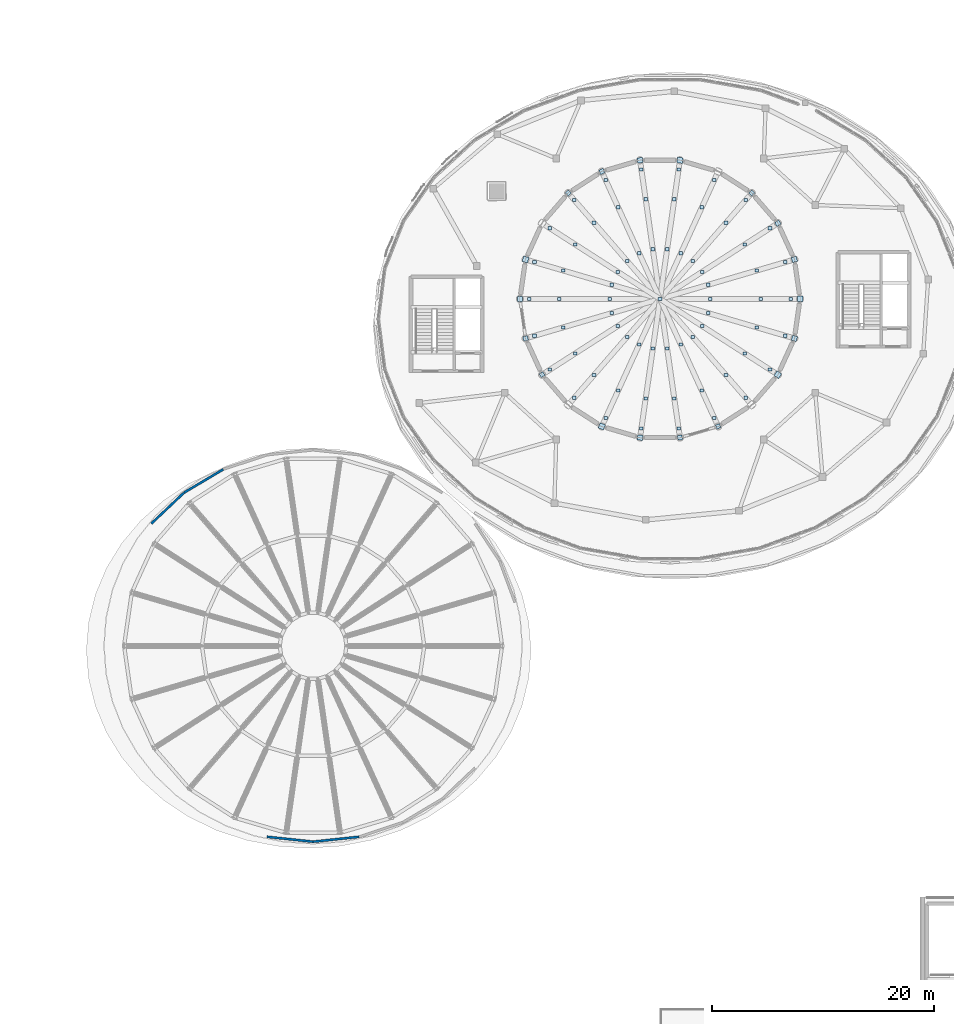
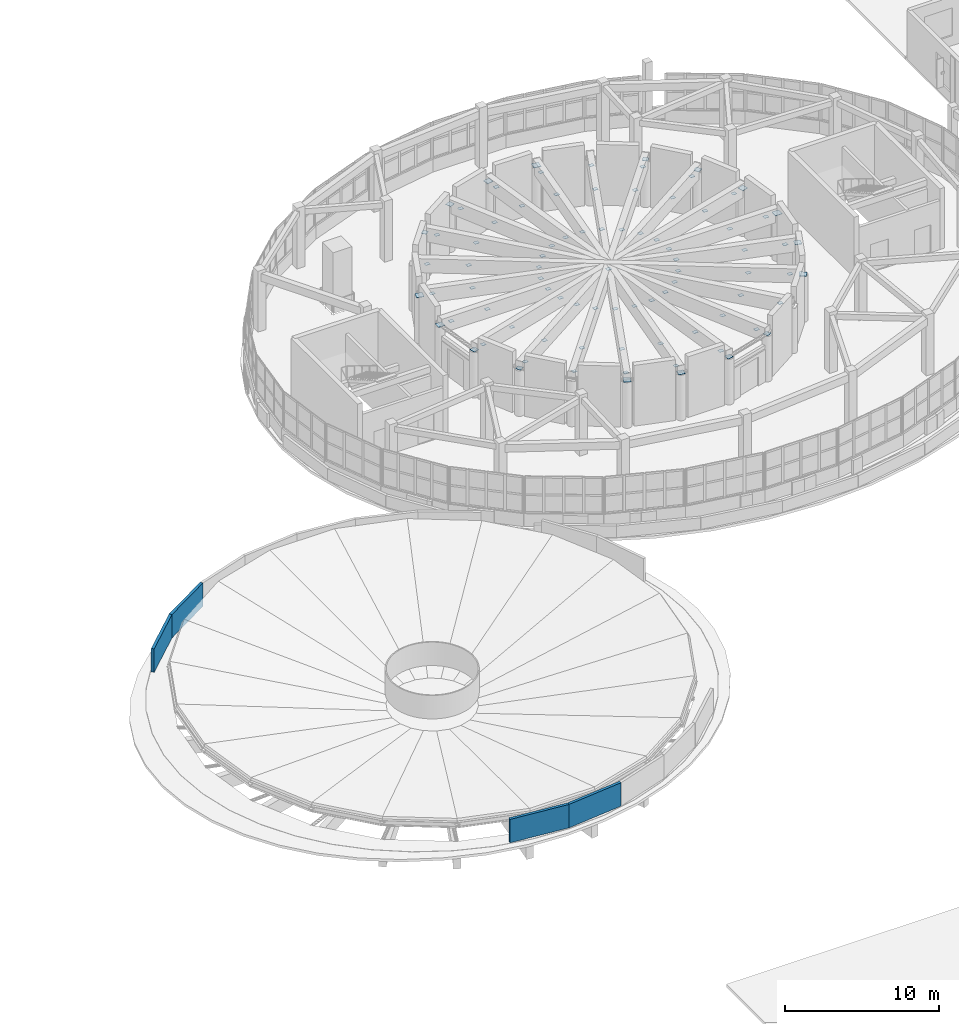
# One storey, part 55 of 69: 85 plates, 4 walls.
"""IFC4 building model written with IfcOpenShell, lengths in metres."""

from ifc_helpers import new_model, si_unit, direction, frame, frame_2d, origin, origin_2d, place, context, subcontext, project, spatial, rectangle, extrude, material, layer, layer_set, type_object, element, save


model = new_model("IFC4")

# Units and contexts
model_context = context("Model", 3, precision=1e-05, world=origin(), true_north=direction((0.0, 1.0)))
body_context = subcontext(model_context, "Body", "Model", "MODEL_VIEW")
ifc_project = project(units=[si_unit("LENGTHUNIT", "METRE"), si_unit("AREAUNIT", "SQUARE_METRE"), si_unit("VOLUMEUNIT", "CUBIC_METRE"), si_unit("PLANEANGLEUNIT", "RADIAN"), si_unit("MASSUNIT", "GRAM", prefix="KILO")], contexts=[model_context])

# Site, building, storey
site_placement = place(None, origin())
site = spatial("IfcSite", under=ifc_project, at=site_placement, CompositionType="ELEMENT")
building_placement = place(site_placement, origin())
building = spatial("IfcBuilding", under=site, at=building_placement, Name="Pelvatis Terrace Science Centre", CompositionType="ELEMENT")
storey_placement = place(building_placement, frame((0.0, 0.0, 15.0)))
storey = spatial("IfcBuildingStorey", under=building, at=storey_placement, Name="L03", CompositionType="ELEMENT", Elevation=15.0)

# Plates
ifc_material_1 = material(Name="Structural steel S355", Category="steel")
ifc_layer_1 = layer(ifc_material_1, 0.02001953125)
ifc_layer_set_1 = layer_set([ifc_layer_1], Name="Structural steel S355")
plate_type_1 = type_object("IfcPlateType", Name="PLT-CAP-380x380x20", PredefinedType="USERDEFINED", material=ifc_layer_set_1)
for number, where, z_axis, x_axis, name in (
    (1, (117.451171875, 95.322509765625, 3.590087890625), (0.0, 0.0, 1.0), (0.654872725061, 0.755739183826, 0.0), "Dome bearing cap plate 04"),
    (2, (100.94873046875, 95.322509765625, 3.590087890625), (0.0, 0.0, 1.0), (-0.654872725061, 0.755739183826, 0.0), "Dome bearing cap plate 09"),
    (3, (98.60009765625, 78.98779296875, 3.590087890625), (0.0, 0.0, 1.0), (-0.841227797435, -0.540680860418, 0.0), "Dome bearing cap plate 14"),
    (4, (114.43408203125, 74.338623046875, 3.590087890625), (0.0, 0.0, 1.0), (0.415487175664, -0.909599036311, 0.0), "Dome bearing cap plate 19"),
):
    element("IfcPlate", number, at=place(storey_placement, frame(where, z_axis=z_axis, x_axis=x_axis)), inside=storey, type_object=plate_type_1, Name=name, ObjectType="CAP PLATE", PredefinedType="USERDEFINED", context=body_context, shape_type="SweptSolid", body=[
        extrude(rectangle(XDim=0.3798828125, YDim=0.3798828125, at=origin_2d()), origin(), (0.0, 0.0, 1.0), 0.02001953125),
    ])
ifc_material_2 = material(Name="Structural steel S355", Category="steel")
ifc_layer_2 = layer(ifc_material_2, 0.02392578125)
ifc_layer_set_2 = layer_set([ifc_layer_2], Name="Structural steel S355")
plate_type_2 = type_object("IfcPlateType", Name="PLT-CAP-420x420x24", PredefinedType="USERDEFINED", material=ifc_layer_set_2)
for number, where, z_axis, x_axis, name in (
    (5, (119.7998046875, 92.612060546875, 3.588134765625), (0.0, 0.0, 1.0), (0.841227797435, 0.540680860418, 0.0), "Dome bearing cap plate 03"),
    (6, (103.9658203125, 97.261474609375, 3.588134765625), (0.0, 0.0, 1.0), (-0.415487175664, 0.909599036311, 0.0), "Dome bearing cap plate 08"),
    (7, (97.1103515625, 82.250244140625, 3.588134765625), (0.0, 0.0, 1.0), (-0.959510852267, -0.281671660596, 0.0), "Dome bearing cap plate 13"),
    (8, (110.9931640625, 73.328125, 3.588134765625), (0.0, 0.0, 1.0), (0.142283427941, -0.989825957496, 0.0), "Dome bearing cap plate 18"),
):
    element("IfcPlate", number, at=place(storey_placement, frame(where, z_axis=z_axis, x_axis=x_axis)), inside=storey, type_object=plate_type_2, Name=name, ObjectType="CAP PLATE", PredefinedType="USERDEFINED", context=body_context, shape_type="SweptSolid", body=[
        extrude(rectangle(XDim=0.419921875, YDim=0.419921875, at=origin_2d()), origin(), (0.0, 0.0, 1.0), 0.02392578125),
    ])
ifc_material_3 = material(Name="Structural steel S355", Category="steel")
ifc_layer_3 = layer(ifc_material_3, 0.02587890625)
ifc_layer_set_3 = layer_set([ifc_layer_3], Name="Structural steel S355")
plate_type_3 = type_object("IfcPlateType", Name="PLT-CAP-460x460x26", PredefinedType="USERDEFINED", material=ifc_layer_set_3)
for number, where, z_axis, x_axis, name in (
    (9, (121.28955078125, 89.349853515625, 3.587158203125), (0.0, 0.0, 1.0), (0.959510852267, 0.281671660596, 0.0), "Dome bearing cap plate 02"),
    (10, (107.40673828125, 98.271728515625, 3.587158203125), (0.0, 0.0, 1.0), (-0.142283427941, 0.989825957496, 0.0), "Dome bearing cap plate 07"),
    (11, (96.60009765625, 85.800048828125, 3.587158203125), (0.0, 0.0, 1.0), (-1.0, 0.0, 0.0), "Dome bearing cap plate 12"),
    (12, (107.40673828125, 73.328125, 3.587158203125), (0.0, 0.0, 1.0), (-0.142283427941, -0.989825957496, 0.0), "Dome bearing cap plate 17"),
    (13, (121.28955078125, 82.250244140625, 3.587158203125), (0.0, 0.0, 1.0), (0.959510852267, -0.281671660596, 0.0), "Dome bearing cap plate 22"),
):
    element("IfcPlate", number, at=place(storey_placement, frame(where, z_axis=z_axis, x_axis=x_axis)), inside=storey, type_object=plate_type_3, Name=name, ObjectType="CAP PLATE", PredefinedType="USERDEFINED", context=body_context, shape_type="SweptSolid", body=[
        extrude(rectangle(XDim=0.4599609375, YDim=0.4599609375, at=origin_2d()), origin(), (0.0, 0.0, 1.0), 0.02587890625),
    ])
ifc_material_4 = material(Name="Structural steel S355", Category="steel")
ifc_layer_4 = layer(ifc_material_4, 0.028076171875)
ifc_layer_set_4 = layer_set([ifc_layer_4], Name="Structural steel S355")
plate_type_4 = type_object("IfcPlateType", Name="PLT-CAP-500x500x28", PredefinedType="USERDEFINED", material=ifc_layer_set_4)
for number, where, z_axis, x_axis, name in (
    (14, (121.800048828125, 85.800048828125, 3.5859375), (0.0, 0.0, 1.0), (1.0, 0.0, 0.0), "Dome bearing cap plate 01"),
    (15, (110.9931640625, 98.271728515625, 3.5859375), (0.0, 0.0, 1.0), (0.142283427941, 0.989825957496, 0.0), "Dome bearing cap plate 06"),
    (16, (97.1103515625, 89.349853515625, 3.5859375), (0.0, 0.0, 1.0), (-0.959510852267, 0.281671660596, 0.0), "Dome bearing cap plate 11"),
    (17, (103.9658203125, 74.338623046875, 3.5859375), (0.0, 0.0, 1.0), (-0.415487175664, -0.909599036311, 0.0), "Dome bearing cap plate 16"),
    (18, (119.7998046875, 78.98779296875, 3.5859375), (0.0, 0.0, 1.0), (0.841227797435, -0.540680860418, 0.0), "Dome bearing cap plate 21"),
):
    element("IfcPlate", number, at=place(storey_placement, frame(where, z_axis=z_axis, x_axis=x_axis)), inside=storey, type_object=plate_type_4, Name=name, ObjectType="CAP PLATE", PredefinedType="USERDEFINED", context=body_context, shape_type="SweptSolid", body=[
        extrude(rectangle(XDim=0.5, YDim=0.5, at=origin_2d()), origin(), (0.0, 0.0, 1.0), 0.028076171875),
    ])
ifc_material_5 = material(Name="Structural steel S355", Category="steel")
ifc_layer_5 = layer(ifc_material_5, 0.01611328125)
ifc_layer_set_5 = layer_set([ifc_layer_5], Name="Structural steel S355")
plate_type_5 = type_object("IfcPlateType", Name="PLT-GUS-320x280x16", PredefinedType="USERDEFINED", material=ifc_layer_set_5)
for number, where, z_axis, x_axis, name in (
    (19, (120.963134765625, 85.800048828125, 3.592041015625), (0.0, 0.0, 1.0), (1.0, 0.0, 0.0), "Brace and strut end connection gusset plate 218"),
    (20, (118.263671875, 85.800048828125, 3.592041015625), (0.0, 0.0, 1.0), (1.0, 0.0, 0.0), "Brace and strut end connection gusset plate 219"),
    (21, (113.71533203125, 85.800048828125, 3.592041015625), (0.0, 0.0, 1.0), (1.0, 0.0, 0.0), "Brace and strut end connection gusset plate 220"),
    (22, (120.486572265625, 89.114013671875, 3.592041015625), (0.0, 0.0, 1.0), (1.0, 0.0, 0.0), "Brace and strut end connection gusset plate 221"),
    (23, (117.896484375, 88.353515625, 3.592041015625), (0.0, 0.0, 1.0), (1.0, 0.0, 0.0), "Brace and strut end connection gusset plate 222"),
    (24, (113.532470703125, 87.072021484375, 3.592041015625), (0.0, 0.0, 1.0), (1.0, 0.0, 0.0), "Brace and strut end connection gusset plate 223"),
    (25, (119.095703125, 92.15966796875, 3.592041015625), (0.0, 0.0, 1.0), (1.0, 0.0, 0.0), "Brace and strut end connection gusset plate 224"),
    (26, (116.824951171875, 90.7001953125, 3.592041015625), (0.0, 0.0, 1.0), (1.0, 0.0, 0.0), "Brace and strut end connection gusset plate 225"),
    (27, (112.99853515625, 88.2412109375, 3.592041015625), (0.0, 0.0, 1.0), (1.0, 0.0, 0.0), "Brace and strut end connection gusset plate 226"),
    (28, (116.9033203125, 94.68994140625, 3.592041015625), (0.0, 0.0, 1.0), (1.0, 0.0, 0.0), "Brace and strut end connection gusset plate 227"),
    (29, (115.135498046875, 92.64990234375, 3.592041015625), (0.0, 0.0, 1.0), (1.0, 0.0, 0.0), "Brace and strut end connection gusset plate 228"),
    (30, (112.156982421875, 89.21240234375, 3.592041015625), (0.0, 0.0, 1.0), (1.0, 0.0, 0.0), "Brace and strut end connection gusset plate 229"),
    (31, (114.086669921875, 96.5, 3.592041015625), (0.0, 0.0, 1.0), (1.0, 0.0, 0.0), "Brace and strut end connection gusset plate 230"),
    (32, (112.965087890625, 94.044677734375, 3.592041015625), (0.0, 0.0, 1.0), (1.0, 0.0, 0.0), "Brace and strut end connection gusset plate 231"),
    (33, (111.07568359375, 89.907470703125, 3.592041015625), (0.0, 0.0, 1.0), (1.0, 0.0, 0.0), "Brace and strut end connection gusset plate 232"),
    (34, (110.8740234375, 97.443359375, 3.592041015625), (0.0, 0.0, 1.0), (1.0, 0.0, 0.0), "Brace and strut end connection gusset plate 233"),
    (35, (110.489990234375, 94.771484375, 3.592041015625), (0.0, 0.0, 1.0), (1.0, 0.0, 0.0), "Brace and strut end connection gusset plate 234"),
    (36, (109.842529296875, 90.26953125, 3.592041015625), (0.0, 0.0, 1.0), (1.0, 0.0, 0.0), "Brace and strut end connection gusset plate 235"),
    (37, (107.52587890625, 97.443359375, 3.592041015625), (0.0, 0.0, 1.0), (1.0, 0.0, 0.0), "Brace and strut end connection gusset plate 236"),
    (38, (107.91015625, 94.771484375, 3.592041015625), (0.0, 0.0, 1.0), (1.0, 0.0, 0.0), "Brace and strut end connection gusset plate 237"),
    (39, (108.557373046875, 90.26953125, 3.592041015625), (0.0, 0.0, 1.0), (1.0, 0.0, 0.0), "Brace and strut end connection gusset plate 238"),
    (40, (104.3134765625, 96.5, 3.592041015625), (0.0, 0.0, 1.0), (1.0, 0.0, 0.0), "Brace and strut end connection gusset plate 239"),
    (41, (105.434814453125, 94.044677734375, 3.592041015625), (0.0, 0.0, 1.0), (1.0, 0.0, 0.0), "Brace and strut end connection gusset plate 240"),
    (42, (107.32421875, 89.907470703125, 3.592041015625), (0.0, 0.0, 1.0), (1.0, 0.0, 0.0), "Brace and strut end connection gusset plate 241"),
    (43, (101.496826171875, 94.68994140625, 3.592041015625), (0.0, 0.0, 1.0), (1.0, 0.0, 0.0), "Brace and strut end connection gusset plate 242"),
    (44, (103.2646484375, 92.64990234375, 3.592041015625), (0.0, 0.0, 1.0), (1.0, 0.0, 0.0), "Brace and strut end connection gusset plate 243"),
    (45, (106.242919921875, 89.21240234375, 3.592041015625), (0.0, 0.0, 1.0), (1.0, 0.0, 0.0), "Brace and strut end connection gusset plate 244"),
    (46, (99.30419921875, 92.15966796875, 3.592041015625), (0.0, 0.0, 1.0), (1.0, 0.0, 0.0), "Brace and strut end connection gusset plate 245"),
    (47, (101.5751953125, 90.7001953125, 3.592041015625), (0.0, 0.0, 1.0), (1.0, 0.0, 0.0), "Brace and strut end connection gusset plate 246"),
    (48, (105.4013671875, 88.2412109375, 3.592041015625), (0.0, 0.0, 1.0), (1.0, 0.0, 0.0), "Brace and strut end connection gusset plate 247"),
    (49, (97.913330078125, 89.114013671875, 3.592041015625), (0.0, 0.0, 1.0), (1.0, 0.0, 0.0), "Brace and strut end connection gusset plate 248"),
    (50, (100.50341796875, 88.353515625, 3.592041015625), (0.0, 0.0, 1.0), (1.0, 0.0, 0.0), "Brace and strut end connection gusset plate 249"),
    (51, (104.867431640625, 87.072021484375, 3.592041015625), (0.0, 0.0, 1.0), (1.0, 0.0, 0.0), "Brace and strut end connection gusset plate 250"),
    (52, (97.43701171875, 85.800048828125, 3.592041015625), (0.0, 0.0, 1.0), (1.0, 0.0, 0.0), "Brace and strut end connection gusset plate 251"),
    (53, (100.13623046875, 85.800048828125, 3.592041015625), (0.0, 0.0, 1.0), (1.0, 0.0, 0.0), "Brace and strut end connection gusset plate 252"),
    (54, (104.6845703125, 85.800048828125, 3.592041015625), (0.0, 0.0, 1.0), (1.0, 0.0, 0.0), "Brace and strut end connection gusset plate 253"),
    (55, (97.913330078125, 82.48583984375, 3.592041015625), (0.0, 0.0, 1.0), (1.0, 0.0, 0.0), "Brace and strut end connection gusset plate 254"),
    (56, (100.50341796875, 83.24658203125, 3.592041015625), (0.0, 0.0, 1.0), (1.0, 0.0, 0.0), "Brace and strut end connection gusset plate 255"),
    (57, (104.867431640625, 84.52783203125, 3.592041015625), (0.0, 0.0, 1.0), (1.0, 0.0, 0.0), "Brace and strut end connection gusset plate 256"),
    (58, (99.30419921875, 79.4404296875, 3.592041015625), (0.0, 0.0, 1.0), (1.0, 0.0, 0.0), "Brace and strut end connection gusset plate 257"),
    (59, (101.5751953125, 80.89990234375, 3.592041015625), (0.0, 0.0, 1.0), (1.0, 0.0, 0.0), "Brace and strut end connection gusset plate 258"),
    (60, (105.4013671875, 83.35888671875, 3.592041015625), (0.0, 0.0, 1.0), (1.0, 0.0, 0.0), "Brace and strut end connection gusset plate 259"),
    (61, (101.496826171875, 76.909912109375, 3.592041015625), (0.0, 0.0, 1.0), (1.0, 0.0, 0.0), "Brace and strut end connection gusset plate 260"),
    (62, (103.2646484375, 78.9501953125, 3.592041015625), (0.0, 0.0, 1.0), (1.0, 0.0, 0.0), "Brace and strut end connection gusset plate 261"),
    (63, (106.242919921875, 82.387451171875, 3.592041015625), (0.0, 0.0, 1.0), (1.0, 0.0, 0.0), "Brace and strut end connection gusset plate 262"),
    (64, (104.3134765625, 75.099853515625, 3.592041015625), (0.0, 0.0, 1.0), (1.0, 0.0, 0.0), "Brace and strut end connection gusset plate 263"),
    (65, (105.434814453125, 77.555419921875, 3.592041015625), (0.0, 0.0, 1.0), (1.0, 0.0, 0.0), "Brace and strut end connection gusset plate 264"),
    (66, (107.32421875, 81.692626953125, 3.592041015625), (0.0, 0.0, 1.0), (1.0, 0.0, 0.0), "Brace and strut end connection gusset plate 265"),
    (67, (107.52587890625, 74.156494140625, 3.592041015625), (0.0, 0.0, 1.0), (1.0, 0.0, 0.0), "Brace and strut end connection gusset plate 266"),
    (68, (107.91015625, 76.82861328125, 3.592041015625), (0.0, 0.0, 1.0), (1.0, 0.0, 0.0), "Brace and strut end connection gusset plate 267"),
    (69, (108.557373046875, 81.33056640625, 3.592041015625), (0.0, 0.0, 1.0), (1.0, 0.0, 0.0), "Brace and strut end connection gusset plate 268"),
    (70, (110.8740234375, 74.156494140625, 3.592041015625), (0.0, 0.0, 1.0), (1.0, 0.0, 0.0), "Brace and strut end connection gusset plate 269"),
    (71, (110.489990234375, 76.82861328125, 3.592041015625), (0.0, 0.0, 1.0), (1.0, 0.0, 0.0), "Brace and strut end connection gusset plate 270"),
    (72, (109.842529296875, 81.33056640625, 3.592041015625), (0.0, 0.0, 1.0), (1.0, 0.0, 0.0), "Brace and strut end connection gusset plate 271"),
    (73, (114.086669921875, 75.099853515625, 3.592041015625), (0.0, 0.0, 1.0), (1.0, 0.0, 0.0), "Brace and strut end connection gusset plate 272"),
    (74, (112.965087890625, 77.555419921875, 3.592041015625), (0.0, 0.0, 1.0), (1.0, 0.0, 0.0), "Brace and strut end connection gusset plate 273"),
    (75, (111.07568359375, 81.692626953125, 3.592041015625), (0.0, 0.0, 1.0), (1.0, 0.0, 0.0), "Brace and strut end connection gusset plate 274"),
    (76, (116.9033203125, 76.909912109375, 3.592041015625), (0.0, 0.0, 1.0), (1.0, 0.0, 0.0), "Brace and strut end connection gusset plate 275"),
    (77, (115.135498046875, 78.9501953125, 3.592041015625), (0.0, 0.0, 1.0), (1.0, 0.0, 0.0), "Brace and strut end connection gusset plate 276"),
    (78, (112.156982421875, 82.387451171875, 3.592041015625), (0.0, 0.0, 1.0), (1.0, 0.0, 0.0), "Brace and strut end connection gusset plate 277"),
    (79, (119.095703125, 79.4404296875, 3.592041015625), (0.0, 0.0, 1.0), (1.0, 0.0, 0.0), "Brace and strut end connection gusset plate 278"),
    (80, (116.824951171875, 80.89990234375, 3.592041015625), (0.0, 0.0, 1.0), (1.0, 0.0, 0.0), "Brace and strut end connection gusset plate 279"),
    (81, (112.99853515625, 83.35888671875, 3.592041015625), (0.0, 0.0, 1.0), (1.0, 0.0, 0.0), "Brace and strut end connection gusset plate 280"),
    (82, (120.486572265625, 82.48583984375, 3.592041015625), (0.0, 0.0, 1.0), (1.0, 0.0, 0.0), "Brace and strut end connection gusset plate 281"),
    (83, (117.896484375, 83.24658203125, 3.592041015625), (0.0, 0.0, 1.0), (1.0, 0.0, 0.0), "Brace and strut end connection gusset plate 282"),
    (84, (113.532470703125, 84.52783203125, 3.592041015625), (0.0, 0.0, 1.0), (1.0, 0.0, 0.0), "Brace and strut end connection gusset plate 283"),
    (85, (109.199951171875, 85.800048828125, 3.592041015625), (0.0, 0.0, 1.0), (1.0, 0.0, 0.0), "Brace and strut end connection gusset plate 284"),
):
    element("IfcPlate", number, at=place(storey_placement, frame(where, z_axis=z_axis, x_axis=x_axis)), inside=storey, type_object=plate_type_5, Name=name, ObjectType="GUSSET", PredefinedType="USERDEFINED", context=body_context, shape_type="SweptSolid", body=[
        extrude(rectangle(XDim=0.320068359375, YDim=0.280029296875, at=origin_2d()), origin(), (0.0, 0.0, 1.0), 0.01611328125),
    ])

# Walls
ifc_material_6 = material(Name="White architectural precast concrete C40/50 spandrel parapet", Category="concrete")
ifc_layer_6 = layer(ifc_material_6, 0.205078125)
ifc_layer_set_6 = layer_set([ifc_layer_6], Name="White architectural precast concrete C40/50 spandrel parapet")
wall_type = type_object("IfcWallType", Name="WL-PAR-205", PredefinedType="PARAPET", material=ifc_layer_set_6)
wall_1_placement = place(storey_placement, frame((69.921142578125, 70.47509765625, 0.0), z_axis=(0.0, 0.0, 1.0), x_axis=(-0.859547178973, -0.511056403071, 0.0)))
element("IfcWall", 86, at=wall_1_placement, inside=storey, type_object=wall_type, Name="White spiral ring parapet PW-CRV-L03-068", PredefinedType="PARAPET", context=body_context, shape_type="SweptSolid", body=[
    extrude(rectangle(XDim=4.107421875, YDim=0.205078125, at=frame_2d((2.0537109375, 0.0))), origin(), (0.0, 0.0, 1.0), 1.85009765625),
])
wall_2_placement = place(storey_placement, frame((66.390625, 68.3759765625, 0.0), z_axis=(0.0, 0.0, 1.0), x_axis=(-0.726325571417, -0.687350830585, 0.0)))
element("IfcWall", 87, at=wall_2_placement, inside=storey, type_object=wall_type, Name="White spiral ring parapet PW-CRV-L03-069", PredefinedType="PARAPET", context=body_context, shape_type="SweptSolid", body=[
    extrude(rectangle(XDim=4.05908203125, YDim=0.205078125, at=frame_2d((2.029541015625, 0.0))), origin(), (0.0, 0.0, 1.0), 1.85009765625),
])
for number, where, z_axis, x_axis, name in (
    (88, (73.856689453125, 37.421875, 0.0), (0.0, 0.0, 1.0), (0.99436068353, -0.106051077555, 0.0), "White spiral ring parapet PW-CRV-L03-070"),
    (89, (78.0, 36.97998046875, 0.0), (0.0, 0.0, 1.0), (0.99436068353, 0.106051077555, 0.0), "White spiral ring parapet PW-CRV-L03-071"),
):
    element("IfcWall", number, at=place(storey_placement, frame(where, z_axis=z_axis, x_axis=x_axis)), inside=storey, type_object=wall_type, Name=name, PredefinedType="PARAPET", context=body_context, shape_type="SweptSolid", body=[
        extrude(rectangle(XDim=4.166748046875, YDim=0.205078125, at=frame_2d((2.08349609375, 0.0))), origin(), (0.0, 0.0, 1.0), 1.85009765625),
    ])

save(model, "model.ifc")
